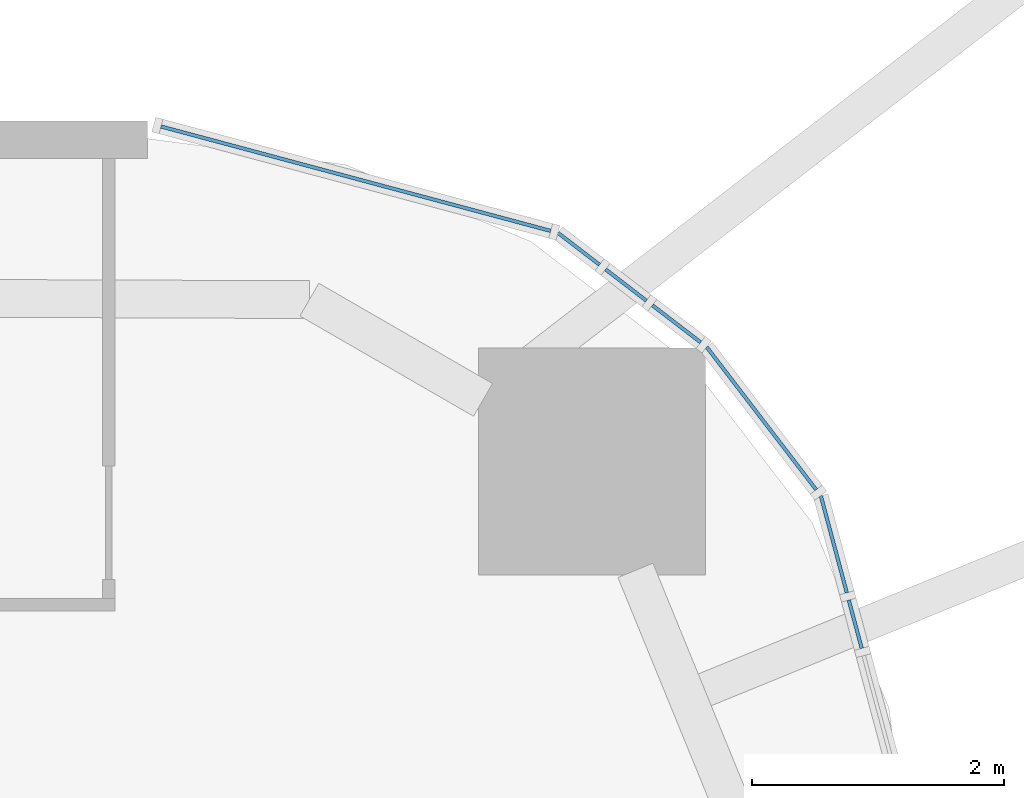
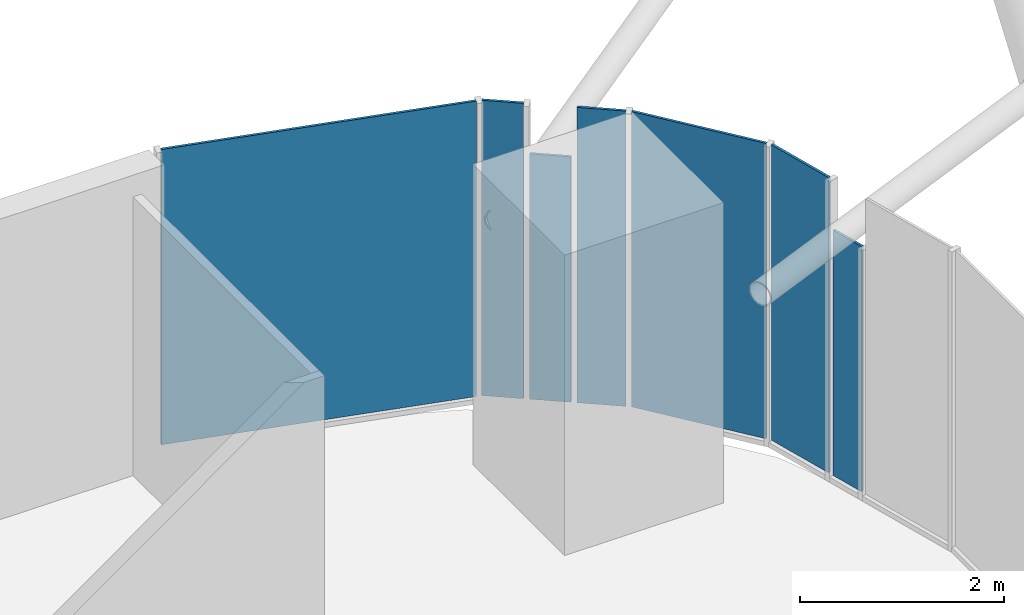
# One storey, part 27 of 38: 7 plates, 7 elements without a shape of their own.
"""IFC4 building model written with IfcOpenShell, lengths in metres."""

from ifc_helpers import new_model, si_unit, direction, frame, origin, origin_2d, place, context, subcontext, project, spatial, rectangle, extrude, material, layer, layer_set, type_object, element, aggregate, save


model = new_model("IFC4")

# Units and contexts
model_context = context("Model", 3, precision=1e-05, world=origin(), true_north=direction((0.0, 1.0)))
body_context = subcontext(model_context, "Body", "Model", "MODEL_VIEW")
ifc_project = project(units=[si_unit("LENGTHUNIT", "METRE"), si_unit("AREAUNIT", "SQUARE_METRE"), si_unit("VOLUMEUNIT", "CUBIC_METRE"), si_unit("PLANEANGLEUNIT", "RADIAN"), si_unit("MASSUNIT", "GRAM", prefix="KILO")], contexts=[model_context])

# Site, building, storey
site_placement = place(None, origin())
site = spatial("IfcSite", under=ifc_project, at=site_placement, CompositionType="ELEMENT")
building_placement = place(site_placement, origin())
building = spatial("IfcBuilding", under=site, at=building_placement, Name="Marenta Gate Hotel Tower", CompositionType="ELEMENT")
storey_placement = place(building_placement, frame((0.0, 0.0, 68.89990234375)))
storey = spatial("IfcBuildingStorey", under=building, at=storey_placement, Name="L15", CompositionType="ELEMENT", Elevation=68.89990234375)

# Curtain wall, plate
ifc_material_1 = material(Name="Tinted insulated glass in bronze anodised frame", Category="glass")
ifc_layer_1 = layer(ifc_material_1, 0.1201171875)
ifc_layer_set_1 = layer_set([ifc_layer_1], Name="Tinted insulated glass in bronze anodised frame")
curtain_wall_type = type_object("IfcCurtainWallType", Name="Tower unitised curtain wall CW1", PredefinedType="NOTDEFINED", material=ifc_layer_set_1)
curtain_wall_1_placement = place(storey_placement, origin())
curtain_wall_1 = element("IfcCurtainWall", 1, at=curtain_wall_1_placement, inside=storey, type_object=curtain_wall_type, Name="CW1 run G36", PredefinedType="NOTDEFINED")
ifc_material_2 = material(Name="Tinted insulated glass", Category="glass")
ifc_layer_2 = layer(ifc_material_2, 0.028076171875)
ifc_layer_set_2 = layer_set([ifc_layer_2], Name="Tinted insulated glass")
plate_type = type_object("IfcPlateType", Name="Glass panel CW1 28 mm tinted insulated unit", PredefinedType="CURTAIN_PANEL", material=ifc_layer_set_2)
plate_1_placement = place(storey_placement, frame((29.024658203125, 29.844970703125, 0.060302734375), z_axis=(0.0, 0.0, 1.0), x_axis=(-0.258834595648, 0.965921659399, 0.0)))
plate_1 = element("IfcPlate", 2, at=plate_1_placement, type_object=plate_type, Name="CW1 panel 1.1", PredefinedType="CURTAIN_PANEL", context=body_context, shape_type="SweptSolid", body=[
    extrude(rectangle(XDim=0.396728515625, YDim=0.028076171875, at=origin_2d()), origin(), (0.0, 0.0, 1.0), 2.9404296875),
])
aggregate(curtain_wall_1, [plate_1])

curtain_wall_2_placement = place(storey_placement, origin())
curtain_wall_2 = element("IfcCurtainWall", 3, at=curtain_wall_2_placement, inside=storey, type_object=curtain_wall_type, Name="CW1 run G37", PredefinedType="NOTDEFINED")
plate_2_placement = place(storey_placement, frame((28.8544921875, 30.479736328125, 0.06005859375), z_axis=(0.0, 0.0, 1.0), x_axis=(-0.258823498514, 0.96592463299, 0.0)))
plate_2 = element("IfcPlate", 4, at=plate_2_placement, type_object=plate_type, Name="CW1 panel 1.1", PredefinedType="CURTAIN_PANEL", context=body_context, shape_type="SweptSolid", body=[
    extrude(rectangle(XDim=0.797607421875, YDim=0.028076171875, at=origin_2d()), origin(), (0.0, 0.0, 1.0), 3.5400390625),
])
aggregate(curtain_wall_2, [plate_2])

curtain_wall_3_placement = place(storey_placement, origin())
curtain_wall_3 = element("IfcCurtainWall", 5, at=curtain_wall_3_placement, inside=storey, type_object=curtain_wall_type, Name="CW1 run G38", PredefinedType="NOTDEFINED")
plate_3_placement = place(storey_placement, frame((28.280029296875, 31.47900390625, 0.06005859375), z_axis=(0.0, 0.0, 1.0), x_axis=(-0.608781405318, 0.79333801153, 0.0)))
plate_3 = element("IfcPlate", 6, at=plate_3_placement, type_object=plate_type, Name="CW1 panel 1.1", PredefinedType="CURTAIN_PANEL", context=body_context, shape_type="SweptSolid", body=[
    extrude(rectangle(XDim=1.427978515625, YDim=0.028076171875, at=origin_2d()), origin(), (0.0, 0.0, 1.0), 3.5400390625),
])
aggregate(curtain_wall_3, [plate_3])

curtain_wall_4_placement = place(storey_placement, origin())
curtain_wall_4 = element("IfcCurtainWall", 7, at=curtain_wall_4_placement, inside=storey, type_object=curtain_wall_type, Name="CW1 run G39", PredefinedType="NOTDEFINED")
plate_4_placement = place(storey_placement, frame((27.606201171875, 32.229248046875, 0.06005859375), z_axis=(0.0, 0.0, 1.0), x_axis=(-0.793327924254, 0.608794550401, 0.0)))
plate_4 = element("IfcPlate", 8, at=plate_4_placement, type_object=plate_type, Name="CW1 panel 1.1", PredefinedType="CURTAIN_PANEL", context=body_context, shape_type="SweptSolid", body=[
    extrude(rectangle(XDim=0.4833984375, YDim=0.028076171875, at=origin_2d()), origin(), (0.0, 0.0, 1.0), 3.5400390625),
])
aggregate(curtain_wall_4, [plate_4])

curtain_wall_5_placement = place(storey_placement, origin())
curtain_wall_5 = element("IfcCurtainWall", 9, at=curtain_wall_5_placement, inside=storey, type_object=curtain_wall_type, Name="CW1 run G40", PredefinedType="NOTDEFINED")
plate_5_placement = place(storey_placement, frame((27.20458984375, 32.537353515625, 0.060302734375), z_axis=(0.0, 0.0, 1.0), x_axis=(-0.793345275313, 0.608771939349, 0.0)))
plate_5 = element("IfcPlate", 10, at=plate_5_placement, type_object=plate_type, Name="CW1 panel 1.1", PredefinedType="CURTAIN_PANEL", context=body_context, shape_type="SweptSolid", body=[
    extrude(rectangle(XDim=0.40869140625, YDim=0.028076171875, at=origin_2d()), origin(), (0.0, 0.0, 1.0), 2.9404296875),
])
aggregate(curtain_wall_5, [plate_5])

curtain_wall_6_placement = place(storey_placement, origin())
curtain_wall_6 = element("IfcCurtainWall", 11, at=curtain_wall_6_placement, inside=storey, type_object=curtain_wall_type, Name="CW1 run G41", PredefinedType="NOTDEFINED")
plate_6_placement = place(storey_placement, frame((26.830078125, 32.82470703125, 0.06005859375), z_axis=(0.0, 0.0, 1.0), x_axis=(-0.793342380821, 0.608775711402, 0.0)))
plate_6 = element("IfcPlate", 12, at=plate_6_placement, type_object=plate_type, Name="CW1 panel 1.1", PredefinedType="CURTAIN_PANEL", context=body_context, shape_type="SweptSolid", body=[
    extrude(rectangle(XDim=0.415771484375, YDim=0.028076171875, at=origin_2d()), origin(), (0.0, 0.0, 1.0), 3.5400390625),
])
aggregate(curtain_wall_6, [plate_6])

curtain_wall_7_placement = place(storey_placement, origin())
curtain_wall_7 = element("IfcCurtainWall", 13, at=curtain_wall_7_placement, inside=storey, type_object=curtain_wall_type, Name="CW1 run G42", PredefinedType="NOTDEFINED")
plate_7_placement = place(storey_placement, frame((25.060791015625, 33.381103515625, 0.06005859375), z_axis=(0.0, 0.0, 1.0), x_axis=(-0.965928970532, 0.258807310344, 0.0)))
plate_7 = element("IfcPlate", 14, at=plate_7_placement, type_object=plate_type, Name="CW1 panel 1.1", PredefinedType="CURTAIN_PANEL", context=body_context, shape_type="SweptSolid", body=[
    extrude(rectangle(XDim=3.20166015625, YDim=0.028076171875, at=origin_2d()), origin(), (0.0, 0.0, 1.0), 3.5400390625),
])
aggregate(curtain_wall_7, [plate_7])

save(model, "model.ifc")
